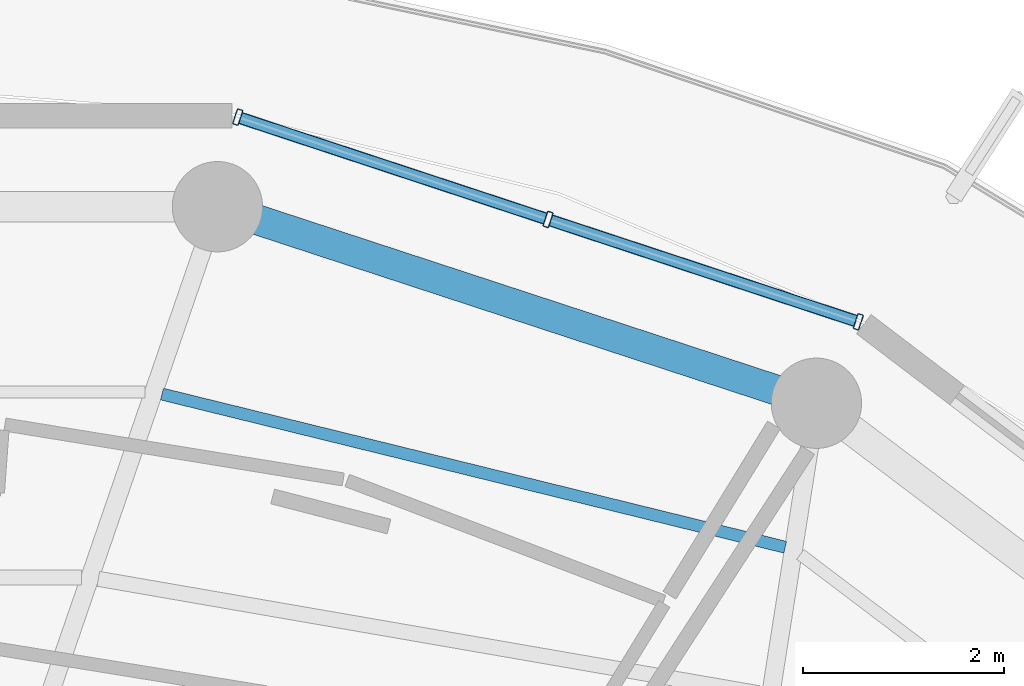
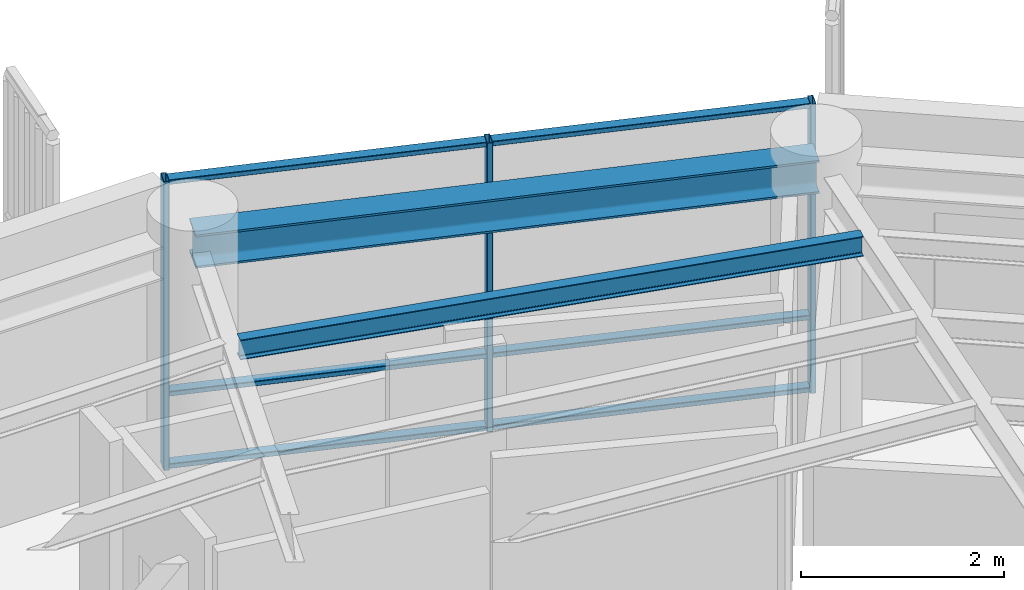
# One storey, part 14 of 23: 9 members, 2 beams, 1 element without a shape of its own.
"""IFC4 building model written with IfcOpenShell, lengths in metres."""

import ifcopenshell
import ifcopenshell.guid

model = None  # the IFC model being written
_history = None  # IfcOwnerHistory: only IFC2X3 demands one
_inside = {}  # id of a spatial element -> (the spatial element, [elements in it])
_under = {}  # id of a project, library or spatial element -> (it, [spatial elements below it])
_declared = {}  # id of a project -> (the project, [libraries it declares])
_typed = {}  # id of a type object -> (the type object, [elements of that type])
_made_of = {}  # id of a material, layer set ... -> (it, [elements and type objects made of it])


def new_model(schema):
    """Start an empty IFC model of exactly this schema.

    Asked for "IFC4X3", IfcOpenShell would pick the latest addendum, in which some entities
    have other attributes; the version numbers below select the first issue.
    IFC2X3 requires an IfcOwnerHistory on every rooted entity: one is made here for all.
    """
    global model, _history
    if schema == "IFC4X3":
        model = ifcopenshell.file(schema_version=(4, 3, 0, 0))
    else:
        model = ifcopenshell.file(schema=schema)
    _inside.clear()
    _under.clear()
    _declared.clear()
    _typed.clear()
    _made_of.clear()
    _history = None
    if model.schema == "IFC2X3":
        org = make("IfcOrganization", Name="unknown")
        user = make(
            "IfcPersonAndOrganization",
            ThePerson=make("IfcPerson", FamilyName="unknown"),
            TheOrganization=org,
        )
        app = make(
            "IfcApplication",
            ApplicationDeveloper=org,
            Version="unknown",
            ApplicationFullName="unknown",
            ApplicationIdentifier="unknown",
        )
        _history = make(
            "IfcOwnerHistory",
            OwningUser=user,
            OwningApplication=app,
            ChangeAction="ADDED",
            CreationDate=0,
        )
    return model


def make(cls, **values):
    """One entity of the class cls with the attributes given. An attribute that is None is left unset."""
    return model.create_entity(
        cls, **{name: value for name, value in values.items() if value is not None}
    )


def rooted(cls, **values):
    """An entity with a GlobalId (a new one), such as an element, a storey or a relation."""
    return make(cls, GlobalId=ifcopenshell.guid.new(), OwnerHistory=_history, **values)


def si_unit(unit_type, name, prefix=None):
    """IfcSIUnit, for example si_unit("LENGTHUNIT", "METRE", prefix="MILLI")."""
    return make("IfcSIUnit", UnitType=unit_type, Prefix=prefix, Name=name)


def assignment(units):
    """IfcUnitAssignment: the units of a project."""
    return None if units is None else make("IfcUnitAssignment", Units=units)


def point(xyz):
    """IfcCartesianPoint."""
    return None if xyz is None else make("IfcCartesianPoint", Coordinates=xyz)


def direction(xyz):
    """IfcDirection."""
    return None if xyz is None else make("IfcDirection", DirectionRatios=xyz)


def frame(location, z_axis=None, x_axis=None):
    """IfcAxis2Placement3D, a coordinate frame: its origin and axes. An axis left out is left unset."""
    return make(
        "IfcAxis2Placement3D",
        Location=point(location),
        Axis=direction(z_axis),
        RefDirection=direction(x_axis),
    )


def frame_2d(location, x_axis=None):
    """IfcAxis2Placement2D, a coordinate frame in the plane: its origin and x axis."""
    return make(
        "IfcAxis2Placement2D", Location=point(location), RefDirection=direction(x_axis)
    )


def origin():
    """The frame at (0, 0, 0) with its axes left unset."""
    return frame((0.0, 0.0, 0.0))


def origin_2d():
    """The frame at (0, 0) in the plane with its x axis left unset."""
    return frame_2d((0.0, 0.0))


def place(relative_to, where):
    """IfcLocalPlacement: puts the frame where relative to a parent placement (None: the world)."""
    return make(
        "IfcLocalPlacement", PlacementRelTo=relative_to, RelativePlacement=where
    )


def context(
    kind, dimensions, precision=None, world=None, true_north=None, identifier=None
):
    """IfcGeometricRepresentationContext, for example the 3D "Model" context."""
    return make(
        "IfcGeometricRepresentationContext",
        ContextIdentifier=identifier,
        ContextType=kind,
        CoordinateSpaceDimension=dimensions,
        Precision=precision,
        WorldCoordinateSystem=world,
        TrueNorth=true_north,
    )


def subcontext(parent, identifier, kind, view, scale=None):
    """IfcGeometricRepresentationSubContext, for example "Body" below "Model"."""
    return make(
        "IfcGeometricRepresentationSubContext",
        ContextIdentifier=identifier,
        ContextType=kind,
        ParentContext=parent,
        TargetScale=scale,
        TargetView=view,
    )


def project(units=None, contexts=None):
    """IfcProject with its units and contexts."""
    return rooted(
        "IfcProject",
        Name="project",
        RepresentationContexts=contexts,
        UnitsInContext=assignment(units),
    )


def spatial(cls, under=None, at=None, **own):
    """A site, building, storey or space (cls), placed at a placement, below another one or the project."""
    s = rooted(cls, ObjectPlacement=at, **own)
    if under is not None:
        _under.setdefault(under.id(), (under, []))[1].append(s)
    return s


def profile(cls, at=None, kind="AREA", **sizes):
    """A parametric profile (cls). Its sizes go by their IFC names, for example OverallWidth=200.0."""
    return make(cls, ProfileType=kind, Position=at, **sizes)


def hollow_rectangle(**sizes):
    """IfcRectangleHollowProfileDef."""
    return profile("IfcRectangleHollowProfileDef", **sizes)


def i_section(**sizes):
    """IfcIShapeProfileDef."""
    return profile("IfcIShapeProfileDef", **sizes)


def extrude(swept, where, along, depth):
    """IfcExtrudedAreaSolid: the profile swept, set in the frame where, extruded along a direction by depth."""
    return make(
        "IfcExtrudedAreaSolid",
        SweptArea=swept,
        Position=where,
        ExtrudedDirection=direction(along),
        Depth=depth,
    )


def shape(context_of_items, identifier, shape_type, items):
    """IfcShapeRepresentation: the items that make up one representation, for example the "Body"."""
    return make(
        "IfcShapeRepresentation",
        ContextOfItems=context_of_items,
        RepresentationIdentifier=identifier,
        RepresentationType=shape_type,
        Items=items,
    )


def material(Name=None, Category=None):
    """IfcMaterial."""
    return make("IfcMaterial", Name=Name, Category=Category)


def layer(
    of_material, thickness, ventilated=None, Name=None, Category=None, Priority=None
):
    """IfcMaterialLayer: one layer of a wall or slab, of a material (None: an air gap)."""
    return make(
        "IfcMaterialLayer",
        Material=of_material,
        LayerThickness=thickness,
        IsVentilated=ventilated,
        Name=Name,
        Category=Category,
        Priority=Priority,
    )


def layer_set(layers, Name=None):
    """IfcMaterialLayerSet."""
    return make("IfcMaterialLayerSet", MaterialLayers=layers, LayerSetName=Name)


def material_profile(
    of_material, cross_section, Name=None, Category=None, Priority=None
):
    """IfcMaterialProfile: a cross section and its material."""
    return make(
        "IfcMaterialProfile",
        Name=Name,
        Material=of_material,
        Profile=cross_section,
        Priority=Priority,
        Category=Category,
    )


def profile_set(profiles, Name=None, composite=None):
    """IfcMaterialProfileSet."""
    return make(
        "IfcMaterialProfileSet",
        Name=Name,
        MaterialProfiles=profiles,
        CompositeProfile=composite,
    )


def made_of(thing, what):
    """Note that an element or type object is made of a material, layer set ...; save() writes the relation."""
    if what is not None:
        _made_of.setdefault(what.id(), (what, []))[1].append(thing)
    return thing


def type_object(cls, material=None, **own):
    """A type object (cls), such as IfcWallType, which elements share."""
    return made_of(rooted(cls, **own), material)


def element(
    cls,
    number,
    at=None,
    inside=None,
    cuts=None,
    type_object=None,
    material=None,
    context=None,
    identifier="Body",
    shape_type=None,
    held_by="IfcProductDefinitionShape",
    body=None,
    shapes=None,
    **own,
):
    """One element of the class cls, such as IfcWall. Its Tag is "e" and its number.

    at: its placement. inside: the storey or other place that contains it. cuts: it is an
    opening in that element (IfcRelVoidsElement). A single representation is given by context,
    identifier, shape_type and body (its items); several are given by shapes. held_by: the class
    of the entity that holds the representations. save() writes the other relations.
    """
    e = rooted(cls, Tag="e%d" % number, ObjectPlacement=at, **own)
    if body is not None:
        shapes = [shape(context, identifier, shape_type, body)]
    if shapes is not None:
        e.Representation = make(held_by, Representations=shapes)
    if inside is not None:
        _inside.setdefault(inside.id(), (inside, []))[1].append(e)
    if cuts is not None:
        rooted(
            "IfcRelVoidsElement", RelatingBuildingElement=cuts, RelatedOpeningElement=e
        )
    if type_object is not None:
        _typed.setdefault(type_object.id(), (type_object, []))[1].append(e)
    return made_of(e, material)


def aggregate(whole, parts):
    """IfcRelAggregates: a whole, such as a stair, and the parts it consists of."""
    return rooted("IfcRelAggregates", RelatingObject=whole, RelatedObjects=parts)


def save(model, path):
    """Write the relations noted so far, then the file.

    IfcRelAggregates (storeys below a building ...), IfcRelContainedInSpatialStructure (elements
    in a storey), IfcRelDefinesByType, IfcRelAssociatesMaterial and IfcRelDeclares: one each for
    every whole, place, type object, material and project.
    """
    for whole, parts in _under.values():
        aggregate(whole, parts)
    for where, things in _inside.values():
        rooted(
            "IfcRelContainedInSpatialStructure",
            RelatedElements=things,
            RelatingStructure=where,
        )
    for kind, things in _typed.values():
        rooted("IfcRelDefinesByType", RelatedObjects=things, RelatingType=kind)
    for what, things in _made_of.values():
        rooted("IfcRelAssociatesMaterial", RelatedObjects=things, RelatingMaterial=what)
    for by, libraries in _declared.values():
        rooted("IfcRelDeclares", RelatingContext=by, RelatedDefinitions=libraries)
    model.write(path)


model = new_model("IFC4")

# Units and contexts
model_context = context("Model", 3, precision=1e-05, world=origin(), true_north=direction((0.0, 1.0)))
body_context = subcontext(model_context, "Body", "Model", "MODEL_VIEW")
ifc_project = project(units=[si_unit("LENGTHUNIT", "METRE"), si_unit("AREAUNIT", "SQUARE_METRE"), si_unit("VOLUMEUNIT", "CUBIC_METRE"), si_unit("PLANEANGLEUNIT", "RADIAN"), si_unit("MASSUNIT", "GRAM", prefix="KILO")], contexts=[model_context])

# Site, building, storey
site_placement = place(None, origin())
site = spatial("IfcSite", under=ifc_project, at=site_placement, CompositionType="ELEMENT")
building_placement = place(site_placement, origin())
building = spatial("IfcBuilding", under=site, at=building_placement, Name="Kelanora Arch Commons", CompositionType="ELEMENT")
storey_placement = place(building_placement, frame((0.0, 0.0, 278.699951171875)))
storey = spatial("IfcBuildingStorey", under=building, at=storey_placement, Name="L71", CompositionType="ELEMENT", Elevation=278.699951171875)

# Beams
ifc_material_1 = material(Name="Steel S355", Category="steel")
ifc_material_profile_1 = material_profile(ifc_material_1, i_section(OverallWidth=0.1201171875, OverallDepth=0.239990234375, WebThickness=0.006103515625, FlangeThickness=0.009765625, FilletRadius=0.014892578125, at=origin_2d()), Name="IPE240")
ifc_profile_set_1 = profile_set([ifc_material_profile_1], Name="Steel S355")
beam_type_1 = type_object("IfcBeamType", Name="BM-JST-02", PredefinedType="JOIST", material=ifc_profile_set_1)
beam_1_placement = place(storey_placement, frame((82.82958984375, 70.837890625, 3.3701171875), z_axis=(-0.971109719488, 0.23863342749, 0.0), x_axis=(-0.23863342749, -0.971109719488, 0.0)))
element("IfcBeam", 1, at=beam_1_placement, inside=storey, type_object=beam_type_1, Name="Secondary Chord Joist BJC-06 L71", PredefinedType="JOIST", context=body_context, shape_type="SweptSolid", body=[
    extrude(i_section(OverallWidth=0.1201171875, OverallDepth=0.239990234375, WebThickness=0.006103515625, FlangeThickness=0.009765625, FilletRadius=0.014892578125, at=origin_2d()), origin(), (0.0, 0.0, 1.0), 6.39208984375),
])
ifc_material_profile_2 = material_profile(ifc_material_1, i_section(OverallWidth=0.300048828125, OverallDepth=0.39990234375, WebThickness=0.013427734375, FlangeThickness=0.02392578125, FilletRadius=0.027099609375, at=origin_2d()), Name="HEB400")
ifc_profile_set_2 = profile_set([ifc_material_profile_2], Name="Steel S355")
beam_type_2 = type_object("IfcBeamType", Name="BM-SPN-Z4", PredefinedType="SPANDREL", material=ifc_profile_set_2)
beam_2_placement = place(storey_placement, frame((83.139892578125, 72.272216796875, 3.2900390625), z_axis=(-0.950165923039, 0.311744636996, 0.0), x_axis=(-0.311744636996, -0.950165923039, 0.0)))
element("IfcBeam", 2, at=beam_2_placement, inside=storey, type_object=beam_type_2, Name="Perimeter Spandrel Beam BS-06 L71", PredefinedType="SPANDREL", context=body_context, shape_type="SweptSolid", body=[
    extrude(i_section(OverallWidth=0.300048828125, OverallDepth=0.39990234375, WebThickness=0.013427734375, FlangeThickness=0.02392578125, FilletRadius=0.027099609375, at=origin_2d()), origin(), (0.0, 0.0, 1.0), 6.278564453125),
])

# Curtain wall, members
ifc_material_2 = material(Name="Terracotta ceramic-fritted low-E glass and aluminium", Category="masonry")
ifc_layer = layer(ifc_material_2, 0.18994140625)
ifc_layer_set = layer_set([ifc_layer], Name="Terracotta ceramic-fritted low-E glass and aluminium")
curtain_wall_type = type_object("IfcCurtainWallType", Name="CW-SYS-03", PredefinedType="NOTDEFINED", material=ifc_layer_set)
curtain_wall_placement = place(storey_placement, origin())
curtain_wall = element("IfcCurtainWall", 3, at=curtain_wall_placement, inside=storey, type_object=curtain_wall_type, Name="Unitised Curtain Wall L71-B03", PredefinedType="NOTDEFINED")
ifc_material_3 = material(Name="Powder-coated aluminium terracotta", Category="masonry")
ifc_material_profile_3 = material_profile(ifc_material_3, hollow_rectangle(XDim=0.159912109375, YDim=0.06005859375, WallThickness=0.0048828125, InnerFilletRadius=0.0048828125, OuterFilletRadius=0.010009765625, at=origin_2d()), Name="CWM160x60")
ifc_profile_set_3 = profile_set([ifc_material_profile_3], Name="Powder-coated aluminium terracotta")
member_type_1 = type_object("IfcMemberType", Name="CWM-STD", PredefinedType="MULLION", material=ifc_profile_set_3)
member_1_placement = place(storey_placement, frame((83.557373046875, 73.0830078125, 0.0), z_axis=(0.0, 0.0, 1.0), x_axis=(-0.313252785344, -0.949669780752, 0.0)))
member_1 = element("IfcMember", 4, at=member_1_placement, type_object=member_type_1, Name="CW-03 mullion 1", PredefinedType="MULLION", context=body_context, shape_type="SweptSolid", body=[
    extrude(hollow_rectangle(XDim=0.159912109375, YDim=0.06005859375, WallThickness=0.0048828125, InnerFilletRadius=0.0048828125, OuterFilletRadius=0.010009765625, at=origin_2d()), origin(), (0.0, 0.0, 1.0), 3.47509765625),
])
member_2_placement = place(storey_placement, frame((80.467041015625, 74.102294921875, 0.0), z_axis=(0.0, 0.0, 1.0), x_axis=(-0.313252785344, -0.949669780752, 0.0)))
member_2 = element("IfcMember", 5, at=member_2_placement, type_object=member_type_1, Name="CW-03 mullion 2", PredefinedType="MULLION", context=body_context, shape_type="SweptSolid", body=[
    extrude(hollow_rectangle(XDim=0.159912109375, YDim=0.06005859375, WallThickness=0.0048828125, InnerFilletRadius=0.0048828125, OuterFilletRadius=0.010009765625, at=origin_2d()), origin(), (0.0, 0.0, 1.0), 3.47509765625),
])
member_3_placement = place(storey_placement, frame((77.376708984375, 75.12158203125, 0.0), z_axis=(0.0, 0.0, 1.0), x_axis=(-0.313252785344, -0.949669780752, 0.0)))
member_3 = element("IfcMember", 6, at=member_3_placement, type_object=member_type_1, Name="CW-03 mullion 3", PredefinedType="MULLION", context=body_context, shape_type="SweptSolid", body=[
    extrude(hollow_rectangle(XDim=0.159912109375, YDim=0.06005859375, WallThickness=0.0048828125, InnerFilletRadius=0.0048828125, OuterFilletRadius=0.010009765625, at=origin_2d()), origin(), (0.0, 0.0, 1.0), 3.47509765625),
])
ifc_material_profile_4 = material_profile(ifc_material_3, hollow_rectangle(XDim=0.1201171875, YDim=0.06005859375, WallThickness=0.0048828125, InnerFilletRadius=0.0048828125, OuterFilletRadius=0.010009765625, at=origin_2d()), Name="CWT120x60")
ifc_profile_set_4 = profile_set([ifc_material_profile_4], Name="Powder-coated aluminium terracotta")
member_type_2 = type_object("IfcMemberType", Name="CWT-STD", PredefinedType="USERDEFINED", material=ifc_profile_set_4)
member_4_placement = place(storey_placement, frame((83.52880859375, 73.09228515625, 0.030029296875), z_axis=(-0.949672315102, 0.313245102003, 0.0), x_axis=(-0.313245102003, -0.949672315102, 0.0)))
member_4 = element("IfcMember", 7, at=member_4_placement, type_object=member_type_2, Name="CW-03 transom 1.1", ObjectType="TRANSOM", PredefinedType="USERDEFINED", context=body_context, shape_type="SweptSolid", body=[
    extrude(hollow_rectangle(XDim=0.1201171875, YDim=0.06005859375, WallThickness=0.0048828125, InnerFilletRadius=0.0048828125, OuterFilletRadius=0.010009765625, at=origin_2d()), origin(), (0.0, 0.0, 1.0), 3.19384765625),
])
member_5_placement = place(storey_placement, frame((83.52880859375, 73.09228515625, 0.900146484375), z_axis=(-0.949672315102, 0.313245102003, 0.0), x_axis=(-0.313245102003, -0.949672315102, 0.0)))
member_5 = element("IfcMember", 8, at=member_5_placement, type_object=member_type_2, Name="CW-03 transom 1.2", ObjectType="TRANSOM", PredefinedType="USERDEFINED", context=body_context, shape_type="SweptSolid", body=[
    extrude(hollow_rectangle(XDim=0.1201171875, YDim=0.06005859375, WallThickness=0.0048828125, InnerFilletRadius=0.0048828125, OuterFilletRadius=0.010009765625, at=origin_2d()), origin(), (0.0, 0.0, 1.0), 3.19384765625),
])
member_6_placement = place(storey_placement, frame((83.52880859375, 73.09228515625, 3.445068359375), z_axis=(-0.949672315102, 0.313245102003, 0.0), x_axis=(-0.313245102003, -0.949672315102, 0.0)))
member_6 = element("IfcMember", 9, at=member_6_placement, type_object=member_type_2, Name="CW-03 transom 1.3", ObjectType="TRANSOM", PredefinedType="USERDEFINED", context=body_context, shape_type="SweptSolid", body=[
    extrude(hollow_rectangle(XDim=0.1201171875, YDim=0.06005859375, WallThickness=0.0048828125, InnerFilletRadius=0.0048828125, OuterFilletRadius=0.010009765625, at=origin_2d()), origin(), (0.0, 0.0, 1.0), 3.19384765625),
])
member_7_placement = place(storey_placement, frame((80.4384765625, 74.111572265625, 0.030029296875), z_axis=(-0.949649574195, 0.313314037719, 0.0), x_axis=(-0.313314037719, -0.949649574195, 0.0)))
member_7 = element("IfcMember", 10, at=member_7_placement, type_object=member_type_2, Name="CW-03 transom 2.1", ObjectType="TRANSOM", PredefinedType="USERDEFINED", context=body_context, shape_type="SweptSolid", body=[
    extrude(hollow_rectangle(XDim=0.1201171875, YDim=0.06005859375, WallThickness=0.0048828125, InnerFilletRadius=0.0048828125, OuterFilletRadius=0.010009765625, at=origin_2d()), origin(), (0.0, 0.0, 1.0), 3.194091796875),
])
member_8_placement = place(storey_placement, frame((80.4384765625, 74.111572265625, 0.900146484375), z_axis=(-0.949649574195, 0.313314037719, 0.0), x_axis=(-0.313314037719, -0.949649574195, 0.0)))
member_8 = element("IfcMember", 11, at=member_8_placement, type_object=member_type_2, Name="CW-03 transom 2.2", ObjectType="TRANSOM", PredefinedType="USERDEFINED", context=body_context, shape_type="SweptSolid", body=[
    extrude(hollow_rectangle(XDim=0.1201171875, YDim=0.06005859375, WallThickness=0.0048828125, InnerFilletRadius=0.0048828125, OuterFilletRadius=0.010009765625, at=origin_2d()), origin(), (0.0, 0.0, 1.0), 3.194091796875),
])
member_9_placement = place(storey_placement, frame((80.4384765625, 74.111572265625, 3.445068359375), z_axis=(-0.949649574195, 0.313314037719, 0.0), x_axis=(-0.313314037719, -0.949649574195, 0.0)))
member_9 = element("IfcMember", 12, at=member_9_placement, type_object=member_type_2, Name="CW-03 transom 2.3", ObjectType="TRANSOM", PredefinedType="USERDEFINED", context=body_context, shape_type="SweptSolid", body=[
    extrude(hollow_rectangle(XDim=0.1201171875, YDim=0.06005859375, WallThickness=0.0048828125, InnerFilletRadius=0.0048828125, OuterFilletRadius=0.010009765625, at=origin_2d()), origin(), (0.0, 0.0, 1.0), 3.194091796875),
])
aggregate(curtain_wall, [member_1, member_2, member_3, member_4, member_5, member_6, member_7, member_8, member_9])

save(model, "model.ifc")
